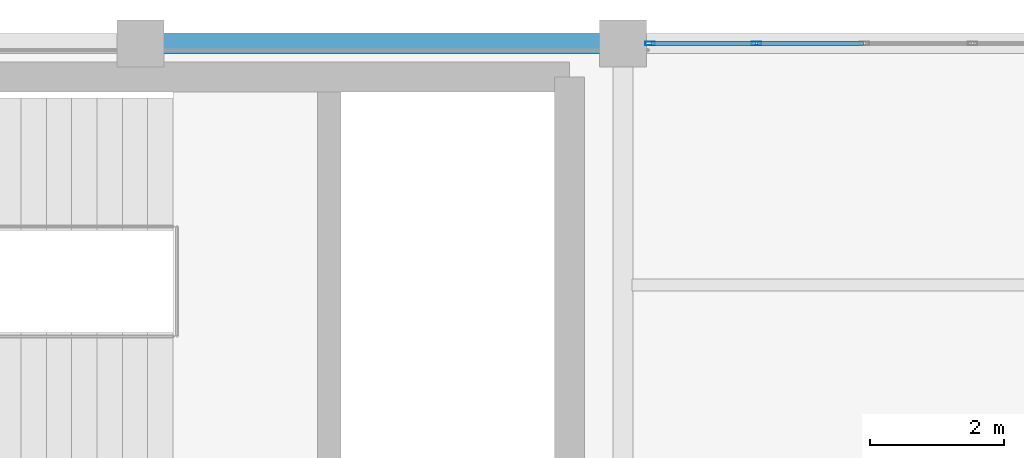
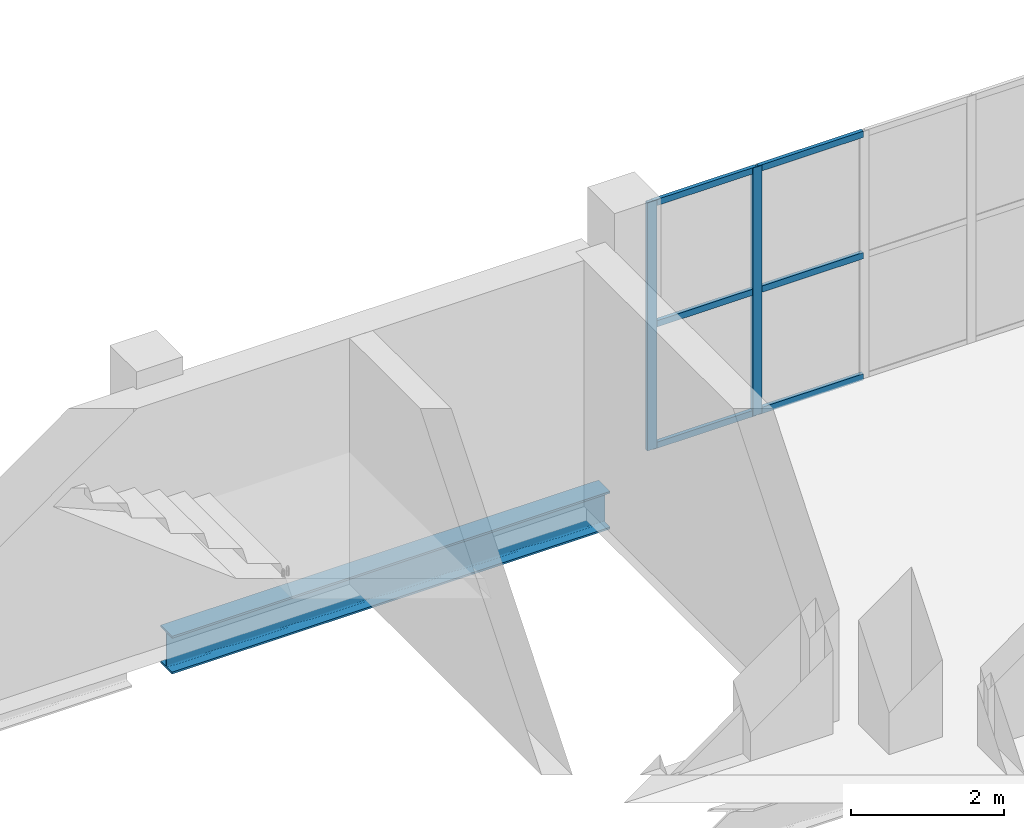
# One storey, part 115 of 153: 8 members, 1 beam, 1 element without a shape of its own.
"""IFC4 building model written with IfcOpenShell, lengths in metres."""

import ifcopenshell
import ifcopenshell.guid

model = None  # the IFC model being written
_history = None  # IfcOwnerHistory: only IFC2X3 demands one
_inside = {}  # id of a spatial element -> (the spatial element, [elements in it])
_under = {}  # id of a project, library or spatial element -> (it, [spatial elements below it])
_declared = {}  # id of a project -> (the project, [libraries it declares])
_typed = {}  # id of a type object -> (the type object, [elements of that type])
_made_of = {}  # id of a material, layer set ... -> (it, [elements and type objects made of it])


def new_model(schema):
    """Start an empty IFC model of exactly this schema.

    Asked for "IFC4X3", IfcOpenShell would pick the latest addendum, in which some entities
    have other attributes; the version numbers below select the first issue.
    IFC2X3 requires an IfcOwnerHistory on every rooted entity: one is made here for all.
    """
    global model, _history
    if schema == "IFC4X3":
        model = ifcopenshell.file(schema_version=(4, 3, 0, 0))
    else:
        model = ifcopenshell.file(schema=schema)
    _inside.clear()
    _under.clear()
    _declared.clear()
    _typed.clear()
    _made_of.clear()
    _history = None
    if model.schema == "IFC2X3":
        org = make("IfcOrganization", Name="unknown")
        user = make(
            "IfcPersonAndOrganization",
            ThePerson=make("IfcPerson", FamilyName="unknown"),
            TheOrganization=org,
        )
        app = make(
            "IfcApplication",
            ApplicationDeveloper=org,
            Version="unknown",
            ApplicationFullName="unknown",
            ApplicationIdentifier="unknown",
        )
        _history = make(
            "IfcOwnerHistory",
            OwningUser=user,
            OwningApplication=app,
            ChangeAction="ADDED",
            CreationDate=0,
        )
    return model


def make(cls, **values):
    """One entity of the class cls with the attributes given. An attribute that is None is left unset."""
    return model.create_entity(
        cls, **{name: value for name, value in values.items() if value is not None}
    )


def rooted(cls, **values):
    """An entity with a GlobalId (a new one), such as an element, a storey or a relation."""
    return make(cls, GlobalId=ifcopenshell.guid.new(), OwnerHistory=_history, **values)


def si_unit(unit_type, name, prefix=None):
    """IfcSIUnit, for example si_unit("LENGTHUNIT", "METRE", prefix="MILLI")."""
    return make("IfcSIUnit", UnitType=unit_type, Prefix=prefix, Name=name)


def assignment(units):
    """IfcUnitAssignment: the units of a project."""
    return None if units is None else make("IfcUnitAssignment", Units=units)


def point(xyz):
    """IfcCartesianPoint."""
    return None if xyz is None else make("IfcCartesianPoint", Coordinates=xyz)


def direction(xyz):
    """IfcDirection."""
    return None if xyz is None else make("IfcDirection", DirectionRatios=xyz)


def frame(location, z_axis=None, x_axis=None):
    """IfcAxis2Placement3D, a coordinate frame: its origin and axes. An axis left out is left unset."""
    return make(
        "IfcAxis2Placement3D",
        Location=point(location),
        Axis=direction(z_axis),
        RefDirection=direction(x_axis),
    )


def frame_2d(location, x_axis=None):
    """IfcAxis2Placement2D, a coordinate frame in the plane: its origin and x axis."""
    return make(
        "IfcAxis2Placement2D", Location=point(location), RefDirection=direction(x_axis)
    )


def origin():
    """The frame at (0, 0, 0) with its axes left unset."""
    return frame((0.0, 0.0, 0.0))


def origin_2d():
    """The frame at (0, 0) in the plane with its x axis left unset."""
    return frame_2d((0.0, 0.0))


def place(relative_to, where):
    """IfcLocalPlacement: puts the frame where relative to a parent placement (None: the world)."""
    return make(
        "IfcLocalPlacement", PlacementRelTo=relative_to, RelativePlacement=where
    )


def context(
    kind, dimensions, precision=None, world=None, true_north=None, identifier=None
):
    """IfcGeometricRepresentationContext, for example the 3D "Model" context."""
    return make(
        "IfcGeometricRepresentationContext",
        ContextIdentifier=identifier,
        ContextType=kind,
        CoordinateSpaceDimension=dimensions,
        Precision=precision,
        WorldCoordinateSystem=world,
        TrueNorth=true_north,
    )


def subcontext(parent, identifier, kind, view, scale=None):
    """IfcGeometricRepresentationSubContext, for example "Body" below "Model"."""
    return make(
        "IfcGeometricRepresentationSubContext",
        ContextIdentifier=identifier,
        ContextType=kind,
        ParentContext=parent,
        TargetScale=scale,
        TargetView=view,
    )


def project(units=None, contexts=None):
    """IfcProject with its units and contexts."""
    return rooted(
        "IfcProject",
        Name="project",
        RepresentationContexts=contexts,
        UnitsInContext=assignment(units),
    )


def spatial(cls, under=None, at=None, **own):
    """A site, building, storey or space (cls), placed at a placement, below another one or the project."""
    s = rooted(cls, ObjectPlacement=at, **own)
    if under is not None:
        _under.setdefault(under.id(), (under, []))[1].append(s)
    return s


def profile(cls, at=None, kind="AREA", **sizes):
    """A parametric profile (cls). Its sizes go by their IFC names, for example OverallWidth=200.0."""
    return make(cls, ProfileType=kind, Position=at, **sizes)


def hollow_rectangle(**sizes):
    """IfcRectangleHollowProfileDef."""
    return profile("IfcRectangleHollowProfileDef", **sizes)


def i_section(**sizes):
    """IfcIShapeProfileDef."""
    return profile("IfcIShapeProfileDef", **sizes)


def extrude(swept, where, along, depth):
    """IfcExtrudedAreaSolid: the profile swept, set in the frame where, extruded along a direction by depth."""
    return make(
        "IfcExtrudedAreaSolid",
        SweptArea=swept,
        Position=where,
        ExtrudedDirection=direction(along),
        Depth=depth,
    )


def shape(context_of_items, identifier, shape_type, items):
    """IfcShapeRepresentation: the items that make up one representation, for example the "Body"."""
    return make(
        "IfcShapeRepresentation",
        ContextOfItems=context_of_items,
        RepresentationIdentifier=identifier,
        RepresentationType=shape_type,
        Items=items,
    )


def material(Name=None, Category=None):
    """IfcMaterial."""
    return make("IfcMaterial", Name=Name, Category=Category)


def material_profile(
    of_material, cross_section, Name=None, Category=None, Priority=None
):
    """IfcMaterialProfile: a cross section and its material."""
    return make(
        "IfcMaterialProfile",
        Name=Name,
        Material=of_material,
        Profile=cross_section,
        Priority=Priority,
        Category=Category,
    )


def profile_set(profiles, Name=None, composite=None):
    """IfcMaterialProfileSet."""
    return make(
        "IfcMaterialProfileSet",
        Name=Name,
        MaterialProfiles=profiles,
        CompositeProfile=composite,
    )


def made_of(thing, what):
    """Note that an element or type object is made of a material, layer set ...; save() writes the relation."""
    if what is not None:
        _made_of.setdefault(what.id(), (what, []))[1].append(thing)
    return thing


def type_object(cls, material=None, **own):
    """A type object (cls), such as IfcWallType, which elements share."""
    return made_of(rooted(cls, **own), material)


def element(
    cls,
    number,
    at=None,
    inside=None,
    cuts=None,
    type_object=None,
    material=None,
    context=None,
    identifier="Body",
    shape_type=None,
    held_by="IfcProductDefinitionShape",
    body=None,
    shapes=None,
    **own,
):
    """One element of the class cls, such as IfcWall. Its Tag is "e" and its number.

    at: its placement. inside: the storey or other place that contains it. cuts: it is an
    opening in that element (IfcRelVoidsElement). A single representation is given by context,
    identifier, shape_type and body (its items); several are given by shapes. held_by: the class
    of the entity that holds the representations. save() writes the other relations.
    """
    e = rooted(cls, Tag="e%d" % number, ObjectPlacement=at, **own)
    if body is not None:
        shapes = [shape(context, identifier, shape_type, body)]
    if shapes is not None:
        e.Representation = make(held_by, Representations=shapes)
    if inside is not None:
        _inside.setdefault(inside.id(), (inside, []))[1].append(e)
    if cuts is not None:
        rooted(
            "IfcRelVoidsElement", RelatingBuildingElement=cuts, RelatedOpeningElement=e
        )
    if type_object is not None:
        _typed.setdefault(type_object.id(), (type_object, []))[1].append(e)
    return made_of(e, material)


def aggregate(whole, parts):
    """IfcRelAggregates: a whole, such as a stair, and the parts it consists of."""
    return rooted("IfcRelAggregates", RelatingObject=whole, RelatedObjects=parts)


def save(model, path):
    """Write the relations noted so far, then the file.

    IfcRelAggregates (storeys below a building ...), IfcRelContainedInSpatialStructure (elements
    in a storey), IfcRelDefinesByType, IfcRelAssociatesMaterial and IfcRelDeclares: one each for
    every whole, place, type object, material and project.
    """
    for whole, parts in _under.values():
        aggregate(whole, parts)
    for where, things in _inside.values():
        rooted(
            "IfcRelContainedInSpatialStructure",
            RelatedElements=things,
            RelatingStructure=where,
        )
    for kind, things in _typed.values():
        rooted("IfcRelDefinesByType", RelatedObjects=things, RelatingType=kind)
    for what, things in _made_of.values():
        rooted("IfcRelAssociatesMaterial", RelatedObjects=things, RelatingMaterial=what)
    for by, libraries in _declared.values():
        rooted("IfcRelDeclares", RelatingContext=by, RelatedDefinitions=libraries)
    model.write(path)


model = new_model("IFC4")

# Units and contexts
model_context = context("Model", 3, precision=1e-05, world=origin(), true_north=direction((0.0, 1.0)))
body_context = subcontext(model_context, "Body", "Model", "MODEL_VIEW")
ifc_project = project(units=[si_unit("LENGTHUNIT", "METRE"), si_unit("AREAUNIT", "SQUARE_METRE"), si_unit("VOLUMEUNIT", "CUBIC_METRE"), si_unit("PLANEANGLEUNIT", "RADIAN"), si_unit("MASSUNIT", "GRAM", prefix="KILO")], contexts=[model_context])

# Site, building, storey
site_placement = place(None, origin())
site = spatial("IfcSite", under=ifc_project, at=site_placement, CompositionType="ELEMENT")
building_placement = place(site_placement, origin())
building = spatial("IfcBuilding", under=site, at=building_placement, Name="Qandorah Velis Arena", CompositionType="ELEMENT")
storey_placement = place(building_placement, frame((0.0, 0.0, 5.39990234375)))
storey = spatial("IfcBuildingStorey", under=building, at=storey_placement, Name="L01", CompositionType="ELEMENT", Elevation=5.39990234375)

# Curtain wall, members
ifc_material_1 = material(Name="Solar-control low-E double glazing", Category="glass")
curtain_wall_type = type_object("IfcCurtainWallType", Name="ARC-CW-SYS12", PredefinedType="USERDEFINED", material=ifc_material_1)
curtain_wall_placement = place(storey_placement, origin())
curtain_wall = element("IfcCurtainWall", 1, at=curtain_wall_placement, inside=storey, type_object=curtain_wall_type, Name="Unitised curtain wall L01-084", ObjectType="UNITISED CURTAIN WALL", PredefinedType="USERDEFINED")
ifc_material_2 = material(Name="Champagne-bronze anodized aluminium 6063-T6", Category="aluminium")
ifc_material_profile_1 = material_profile(ifc_material_2, hollow_rectangle(XDim=0.054931640625, YDim=0.139892578125, WallThickness=0.0029296875, at=origin_2d()), Name="ALU MULLION 55x140")
ifc_profile_set_1 = profile_set([ifc_material_profile_1], Name="Champagne-bronze anodized aluminium 6063-T6")
member_type_1 = type_object("IfcMemberType", Name="ARC-CWM-140", PredefinedType="MULLION", material=ifc_profile_set_1)
member_1_placement = place(storey_placement, frame((86.802490234375, 129.60009765625, -0.014892578125), z_axis=(0.0, 0.0, 1.0), x_axis=(0.0, 1.0, 0.0)))
member_1 = element("IfcMember", 2, at=member_1_placement, type_object=member_type_1, Name="CW12 mullion 1", PredefinedType="MULLION", context=body_context, shape_type="SweptSolid", body=[
    extrude(hollow_rectangle(XDim=0.054931640625, YDim=0.139892578125, WallThickness=0.0029296875, at=origin_2d()), origin(), (0.0, 0.0, 1.0), 3.949951171875),
])
member_2_placement = place(storey_placement, frame((88.387451171875, 129.60009765625, -0.014892578125), z_axis=(0.0, 0.0, 1.0), x_axis=(0.0, 1.0, 0.0)))
member_2 = element("IfcMember", 3, at=member_2_placement, type_object=member_type_1, Name="CW12 mullion 2", PredefinedType="MULLION", context=body_context, shape_type="SweptSolid", body=[
    extrude(hollow_rectangle(XDim=0.054931640625, YDim=0.139892578125, WallThickness=0.0029296875, at=origin_2d()), origin(), (0.0, 0.0, 1.0), 3.949951171875),
])
ifc_material_profile_2 = material_profile(ifc_material_2, hollow_rectangle(XDim=0.054931640625, YDim=0.10009765625, WallThickness=0.0029296875, at=origin_2d()), Name="ALU TRANSOM 55x100")
ifc_profile_set_2 = profile_set([ifc_material_profile_2], Name="Champagne-bronze anodized aluminium 6063-T6")
member_type_2 = type_object("IfcMemberType", Name="ARC-CWT-100", PredefinedType="USERDEFINED", material=ifc_profile_set_2)
member_3_placement = place(storey_placement, frame((86.818115234375, 129.60009765625, 0.027587890625), z_axis=(1.0, 0.0, 0.0), x_axis=(0.0, 1.0, 0.0)))
member_3 = element("IfcMember", 4, at=member_3_placement, type_object=member_type_2, Name="CW12 transom 1.1", ObjectType="TRANSOM", PredefinedType="USERDEFINED", context=body_context, shape_type="SweptSolid", body=[
    extrude(hollow_rectangle(XDim=0.054931640625, YDim=0.10009765625, WallThickness=0.0029296875, at=origin_2d()), origin(), (0.0, 0.0, 1.0), 1.553955078125),
])
member_4_placement = place(storey_placement, frame((86.818115234375, 129.60009765625, 1.960205078125), z_axis=(1.0, 0.0, 0.0), x_axis=(0.0, 1.0, 0.0)))
member_4 = element("IfcMember", 5, at=member_4_placement, type_object=member_type_2, Name="CW12 transom 1.2", ObjectType="TRANSOM", PredefinedType="USERDEFINED", context=body_context, shape_type="SweptSolid", body=[
    extrude(hollow_rectangle(XDim=0.054931640625, YDim=0.10009765625, WallThickness=0.0029296875, at=origin_2d()), origin(), (0.0, 0.0, 1.0), 1.553955078125),
])
member_5_placement = place(storey_placement, frame((86.818115234375, 129.60009765625, 3.892578125), z_axis=(1.0, 0.0, 0.0), x_axis=(0.0, 1.0, 0.0)))
member_5 = element("IfcMember", 6, at=member_5_placement, type_object=member_type_2, Name="CW12 transom 1.3", ObjectType="TRANSOM", PredefinedType="USERDEFINED", context=body_context, shape_type="SweptSolid", body=[
    extrude(hollow_rectangle(XDim=0.054931640625, YDim=0.10009765625, WallThickness=0.0029296875, at=origin_2d()), origin(), (0.0, 0.0, 1.0), 1.553955078125),
])
member_6_placement = place(storey_placement, frame((88.403076171875, 129.60009765625, 0.027587890625), z_axis=(1.0, 0.0, 0.0), x_axis=(0.0, 1.0, 0.0)))
member_6 = element("IfcMember", 7, at=member_6_placement, type_object=member_type_2, Name="CW12 transom 2.1", ObjectType="TRANSOM", PredefinedType="USERDEFINED", context=body_context, shape_type="SweptSolid", body=[
    extrude(hollow_rectangle(XDim=0.054931640625, YDim=0.10009765625, WallThickness=0.0029296875, at=origin_2d()), origin(), (0.0, 0.0, 1.0), 1.58154296875),
])
member_7_placement = place(storey_placement, frame((88.403076171875, 129.60009765625, 1.960205078125), z_axis=(1.0, 0.0, 0.0), x_axis=(0.0, 1.0, 0.0)))
member_7 = element("IfcMember", 8, at=member_7_placement, type_object=member_type_2, Name="CW12 transom 2.2", ObjectType="TRANSOM", PredefinedType="USERDEFINED", context=body_context, shape_type="SweptSolid", body=[
    extrude(hollow_rectangle(XDim=0.054931640625, YDim=0.10009765625, WallThickness=0.0029296875, at=origin_2d()), origin(), (0.0, 0.0, 1.0), 1.58154296875),
])
member_8_placement = place(storey_placement, frame((88.403076171875, 129.60009765625, 3.892578125), z_axis=(1.0, 0.0, 0.0), x_axis=(0.0, 1.0, 0.0)))
member_8 = element("IfcMember", 9, at=member_8_placement, type_object=member_type_2, Name="CW12 transom 2.3", ObjectType="TRANSOM", PredefinedType="USERDEFINED", context=body_context, shape_type="SweptSolid", body=[
    extrude(hollow_rectangle(XDim=0.054931640625, YDim=0.10009765625, WallThickness=0.0029296875, at=origin_2d()), origin(), (0.0, 0.0, 1.0), 1.58154296875),
])
aggregate(curtain_wall, [member_1, member_2, member_3, member_4, member_5, member_6, member_7, member_8])

# Beam
ifc_material_3 = material(Name="Steel S355", Category="steel")
ifc_material_profile_3 = material_profile(ifc_material_3, i_section(OverallWidth=0.300048828125, OverallDepth=0.60009765625, WebThickness=0.015380859375, FlangeThickness=0.030029296875, FilletRadius=0.027099609375, at=origin_2d()), Name="HEB 600")
ifc_profile_set_3 = profile_set([ifc_material_profile_3], Name="Steel S355")
beam_type = type_object("IfcBeamType", Name="STR-BM-HEB600", PredefinedType="BEAM", material=ifc_profile_set_3)
beam_placement = place(storey_placement, frame((79.5, 129.60009765625, -0.659912109375), z_axis=(1.0, 0.0, 0.0), x_axis=(0.0, 1.0, 0.0)))
element("IfcBeam", 10, at=beam_placement, inside=storey, type_object=beam_type, Name="Primary floor girder L01 X-215", PredefinedType="BEAM", context=body_context, shape_type="SweptSolid", body=[
    extrude(i_section(OverallWidth=0.300048828125, OverallDepth=0.60009765625, WebThickness=0.015380859375, FlangeThickness=0.030029296875, FilletRadius=0.027099609375, at=origin_2d()), origin(), (0.0, 0.0, 1.0), 6.60009765625),
])

save(model, "model.ifc")
